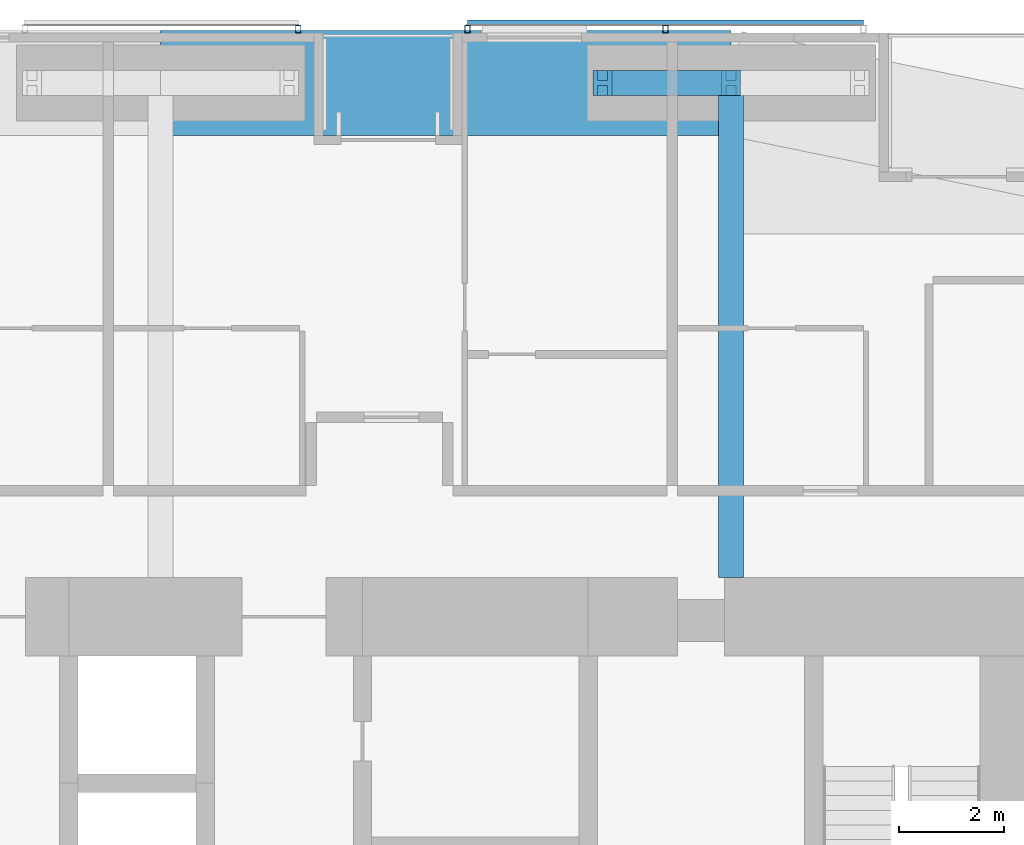
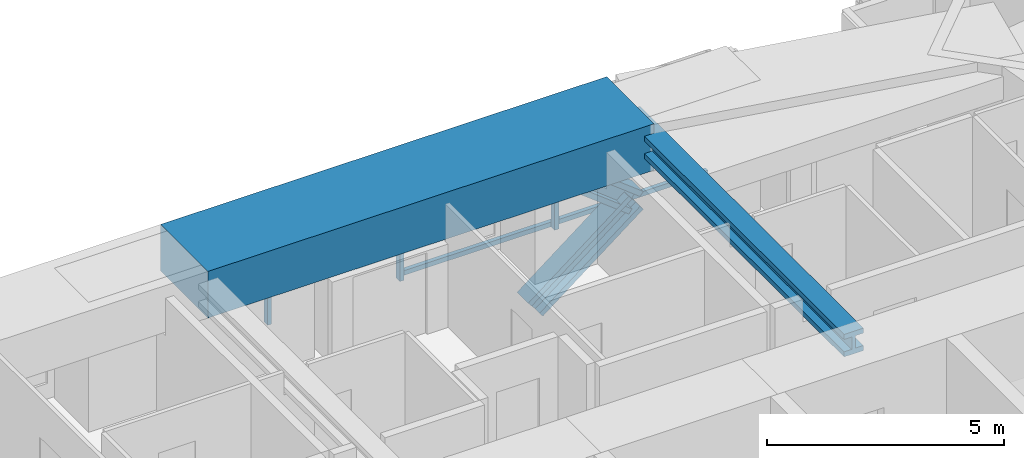
# One storey, part 13 of 23: 6 members, 2 beams, 2 elements without a shape of their own.
"""IFC4 building model written with IfcOpenShell, lengths in metres."""

from ifc_helpers import new_model, si_unit, direction, frame, origin, origin_2d, place, context, subcontext, project, spatial, rectangle, hollow_rectangle, i_section, extrude, material, material_profile, profile_set, type_object, element, aggregate, save


model = new_model("IFC4")

# Units and contexts
model_context = context("Model", 3, precision=1e-05, world=origin(), true_north=direction((0.0, 1.0)))
body_context = subcontext(model_context, "Body", "Model", "MODEL_VIEW")
ifc_project = project(units=[si_unit("LENGTHUNIT", "METRE"), si_unit("AREAUNIT", "SQUARE_METRE"), si_unit("VOLUMEUNIT", "CUBIC_METRE"), si_unit("PLANEANGLEUNIT", "RADIAN"), si_unit("MASSUNIT", "GRAM", prefix="KILO")], contexts=[model_context])

# Site, building, storey
site_placement = place(None, origin())
site = spatial("IfcSite", under=ifc_project, at=site_placement, CompositionType="ELEMENT")
building_placement = place(site_placement, origin())
building = spatial("IfcBuilding", under=site, at=building_placement, Name="Jalousie Tower", CompositionType="ELEMENT")
storey_placement = place(building_placement, frame((0.0, 0.0, 84.75)))
storey = spatial("IfcBuildingStorey", under=building, at=storey_placement, Name="L22", CompositionType="ELEMENT", Elevation=84.75)

# Beam
ifc_material_1 = material(Name="Steel ASTM A992 Grade 50", Category="steel")
ifc_material_profile_1 = material_profile(ifc_material_1, i_section(OverallWidth=0.472412109375, OverallDepth=0.5791015625, WebThickness=0.094970703125, FlangeThickness=0.1298828125, at=origin_2d()), Name="W14X808")
ifc_profile_set_1 = profile_set([ifc_material_profile_1], Name="Steel ASTM A992 Grade 50")
beam_type_1 = type_object("IfcBeamType", Name="LEAN COLLECTOR W14X808", PredefinedType="BEAM", material=ifc_profile_set_1)
beam_1_placement = place(storey_placement, frame((38.625, 37.050048828125, 2.8203125), z_axis=(0.0, -1.0, 0.0), x_axis=(1.0, 0.0, 0.0)))
element("IfcBeam", 1, at=beam_1_placement, inside=storey, type_object=beam_type_1, Name="Lean collector under L23", PredefinedType="BEAM", context=body_context, shape_type="SweptSolid", body=[
    extrude(i_section(OverallWidth=0.472412109375, OverallDepth=0.5791015625, WebThickness=0.094970703125, FlangeThickness=0.1298828125, at=origin_2d()), origin(), (0.0, 0.0, 1.0), 9.425048828125),
])

# Members
ifc_material_2 = material(Name="Steel ASTM A992 Grade 50", Category="steel")
ifc_material_profile_2 = material_profile(ifc_material_2, i_section(OverallWidth=0.472412109375, OverallDepth=0.5791015625, WebThickness=0.094970703125, FlangeThickness=0.1298828125, at=origin_2d()), Name="W14X808")
ifc_profile_set_2 = profile_set([ifc_material_profile_2], Name="Steel ASTM A992 Grade 50")
member_type_1 = type_object("IfcMemberType", Name="PERIMETER BRACE W14X808", PredefinedType="BRACE", material=ifc_profile_set_2)
for number, where, z_axis, x_axis, name in (
    (2, (36.175048828125, 37.050048828125, -1.050048828125), (0.790191006211, 0.0, 0.612860647866), (0.0, 1.0, 0.0), "Perimeter brace 09 L22 part 1"),
    (3, (38.625, 37.050048828125, 0.85009765625), (-0.790229140184, 0.0, 0.612811476723), (0.0, -1.0, 0.0), "Perimeter brace 09 L22 part 4"),
):
    element("IfcMember", number, at=place(storey_placement, frame(where, z_axis=z_axis, x_axis=x_axis)), inside=storey, type_object=member_type_1, Name=name, PredefinedType="BRACE", context=body_context, shape_type="SweptSolid", body=[
        extrude(i_section(OverallWidth=0.472412109375, OverallDepth=0.5791015625, WebThickness=0.094970703125, FlangeThickness=0.1298828125, at=origin_2d()), origin(), (0.0, 0.0, 1.0), 3.100341796875),
    ])

# Beam
ifc_material_3 = material(Name="Concrete f'c 40 MPa", Category="concrete")
ifc_material_profile_3 = material_profile(ifc_material_3, rectangle(XDim=2.0, YDim=1.199951171875, at=origin_2d()), Name="RC 2000x1200")
ifc_profile_set_3 = profile_set([ifc_material_profile_3], Name="Concrete f'c 40 MPa")
beam_type_2 = type_object("IfcBeamType", Name="RC BEAM 2000x1200", PredefinedType="BEAM", material=ifc_profile_set_3)
beam_2_placement = place(storey_placement, frame((38.625, 37.050048828125, 2.75), z_axis=(-1.0, 0.0, 0.0), x_axis=(0.0, -1.0, 0.0)))
element("IfcBeam", 4, at=beam_2_placement, inside=storey, type_object=beam_type_2, Name="Edge band beam 09-10 under L23", PredefinedType="BEAM", context=body_context, shape_type="SweptSolid", body=[
    extrude(rectangle(XDim=2.0, YDim=1.199951171875, at=origin_2d()), origin(), (0.0, 0.0, 1.0), 10.875),
])

# Curtain wall, members
ifc_material_4 = material(Name="Perforated aluminium sheet", Category="aluminium")
curtain_wall_type = type_object("IfcCurtainWallType", Name="SOLAR SCREEN SS-1", PredefinedType="USERDEFINED", material=ifc_material_4)
curtain_wall_1_placement = place(storey_placement, origin())
curtain_wall_1 = element("IfcCurtainWall", 5, at=curtain_wall_1_placement, inside=storey, type_object=curtain_wall_type, Name="Solar screen L22", ObjectType="SOLAR SCREEN SS-1", PredefinedType="USERDEFINED")
ifc_material_5 = material(Name="Steel ASTM A500 Grade C", Category="steel")
ifc_material_profile_4 = material_profile(ifc_material_5, hollow_rectangle(XDim=0.1015625, YDim=0.15234375, WallThickness=0.00634765625, at=origin_2d()), Name="HSS6X4X1/4")
ifc_profile_set_4 = profile_set([ifc_material_profile_4], Name="Steel ASTM A500 Grade C")
member_type_2 = type_object("IfcMemberType", Name="SOLAR SCREEN SS-1 MULLION", PredefinedType="MULLION", material=ifc_profile_set_4)
member_1_placement = place(storey_placement, frame((37.374267578125, 38.0712890625, -0.1201171875), z_axis=(0.0, 0.0, 1.0), x_axis=(-1.0, 0.0, 0.0)))
member_1 = element("IfcMember", 6, at=member_1_placement, type_object=member_type_2, Name="SS1 post 2", PredefinedType="MULLION", context=body_context, shape_type="SweptSolid", body=[
    extrude(hollow_rectangle(XDim=0.1015625, YDim=0.15234375, WallThickness=0.00634765625, at=origin_2d()), origin(), (0.0, 0.0, 1.0), 3.230224609375),
])
member_2_placement = place(storey_placement, frame((33.60009765625, 38.0712890625, -0.1201171875), z_axis=(0.0, 0.0, 1.0), x_axis=(-1.0, 0.0, 0.0)))
member_2 = element("IfcMember", 7, at=member_2_placement, type_object=member_type_2, Name="SS1 post 3", PredefinedType="MULLION", context=body_context, shape_type="SweptSolid", body=[
    extrude(hollow_rectangle(XDim=0.1015625, YDim=0.15234375, WallThickness=0.00634765625, at=origin_2d()), origin(), (0.0, 0.0, 1.0), 3.230224609375),
])

# Curtain wall, member
curtain_wall_2_placement = place(storey_placement, origin())
curtain_wall_2 = element("IfcCurtainWall", 8, at=curtain_wall_2_placement, inside=storey, type_object=curtain_wall_type, Name="Solar screen L22", ObjectType="SOLAR SCREEN SS-1", PredefinedType="USERDEFINED")
member_3_placement = place(storey_placement, frame((30.375, 38.0712890625, -0.1201171875), z_axis=(0.0, 0.0, 1.0), x_axis=(-1.0, 0.0, 0.0)))
member_3 = element("IfcMember", 9, at=member_3_placement, type_object=member_type_2, Name="SS1 post 1", PredefinedType="MULLION", context=body_context, shape_type="SweptSolid", body=[
    extrude(hollow_rectangle(XDim=0.1015625, YDim=0.15234375, WallThickness=0.00634765625, at=origin_2d()), origin(), (0.0, 0.0, 1.0), 3.230224609375),
])
aggregate(curtain_wall_2, [member_3])

# Member
ifc_material_6 = material(Name="Extruded aluminium screen rail", Category="aluminium")
ifc_material_profile_5 = material_profile(ifc_material_6, rectangle(XDim=0.1015625, YDim=0.1201171875, at=origin_2d()), Name="RAIL 102x120")
ifc_profile_set_5 = profile_set([ifc_material_profile_5], Name="Extruded aluminium screen rail")
member_type_3 = type_object("IfcMemberType", Name="SOLAR SCREEN SS-1 TRANSOM", PredefinedType="USERDEFINED", material=ifc_profile_set_5)
member_4_placement = place(storey_placement, frame((41.148681640625, 38.1982421875, -0.06005859375), z_axis=(-1.0, 0.0, 0.0), x_axis=(0.0, -1.0, 0.0)))
member_4 = element("IfcMember", 10, at=member_4_placement, type_object=member_type_3, Name="SS1 rail", ObjectType="TRANSOM", PredefinedType="USERDEFINED", context=body_context, shape_type="SweptSolid", body=[
    extrude(rectangle(XDim=0.1015625, YDim=0.1201171875, at=origin_2d()), origin(), (0.0, 0.0, 1.0), 7.548583984375),
])

aggregate(curtain_wall_1, [member_1, member_2, member_4])

save(model, "model.ifc")
